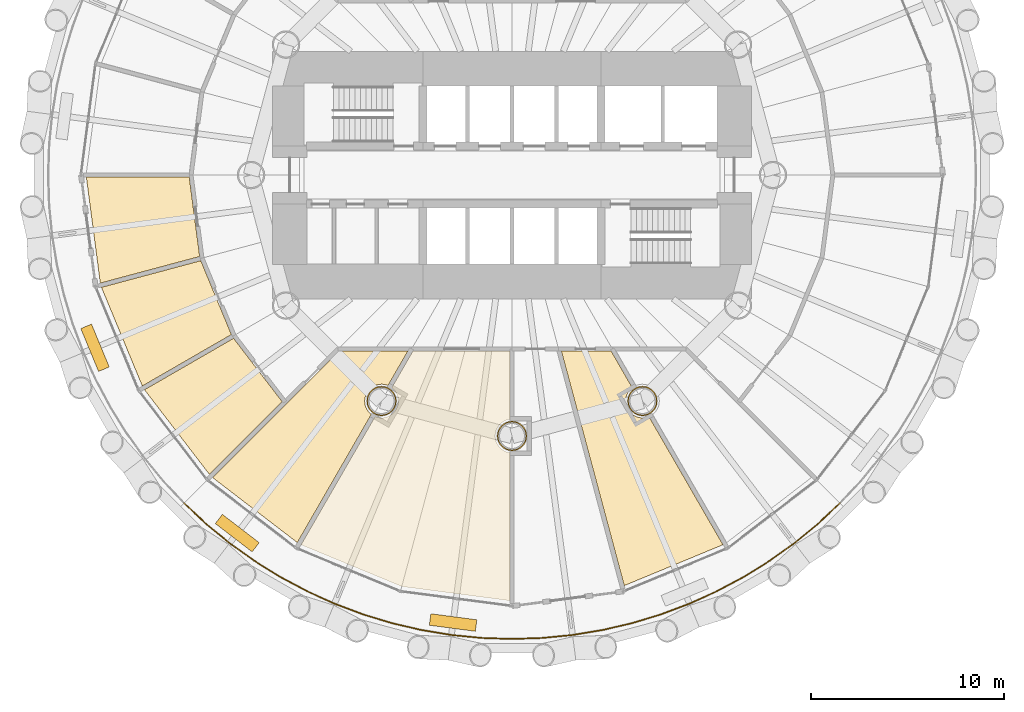
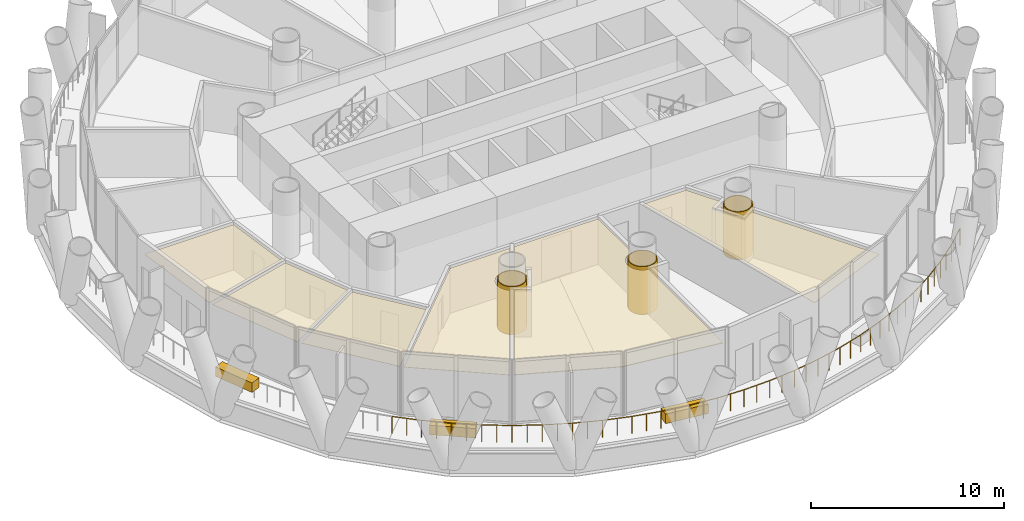
# One storey, part 12 of 15: 12 coverings, 1 railing.
"""IFC4 building model written with IfcOpenShell, lengths in metres."""

from ifc_helpers import new_model, si_unit, direction, frame, origin, origin_2d, place, context, subcontext, project, spatial, polyline, rectangle, circle, outline, extrude, material, layer, layer_set, type_object, element, save


model = new_model("IFC4")

# Units and contexts
model_context = context("Model", 3, precision=1e-05, world=origin(), true_north=direction((0.0, 1.0)))
body_context = subcontext(model_context, "Body", "Model", "MODEL_VIEW")
ifc_project = project(units=[si_unit("LENGTHUNIT", "METRE"), si_unit("AREAUNIT", "SQUARE_METRE"), si_unit("VOLUMEUNIT", "CUBIC_METRE"), si_unit("PLANEANGLEUNIT", "RADIAN"), si_unit("MASSUNIT", "GRAM", prefix="KILO")], contexts=[model_context])

# Site, building, storey
site_placement = place(None, origin())
site = spatial("IfcSite", under=ifc_project, at=site_placement, CompositionType="ELEMENT")
building_placement = place(site_placement, origin())
building = spatial("IfcBuilding", under=site, at=building_placement, Name="Qaws Media Tower", CompositionType="ELEMENT")
storey_placement = place(building_placement, frame((0.0, 0.0, 51.199951171875)))
storey = spatial("IfcBuildingStorey", under=building, at=storey_placement, Name="L10", CompositionType="ELEMENT", Elevation=51.199951171875)

# Covering
ifc_material_1 = material(Name="40 perforated acoustic panels with mineral wool backing, suspended", Category="mineral fibre")
ifc_layer_1 = layer(ifc_material_1, 0.0400390625)
ifc_layer_set_1 = layer_set([ifc_layer_1], Name="Acoustic panel ceiling 40")
covering_type_1 = type_object("IfcCoveringType", Name="Acoustic panel ceiling 40", PredefinedType="CEILING", material=ifc_layer_set_1)
covering_1_placement = place(storey_placement, frame((0.0, 0.0, 2.85009765625)))
element("IfcCovering", 1, at=covering_1_placement, inside=storey, type_object=covering_type_1, Name="CL3 ceiling L10-11 Audio dubbing theatre", PredefinedType="CEILING", context=body_context, shape_type="SweptSolid", body=[
    extrude(outline(polyline([(54.296875, 28.715576171875), (49.087158203125, 30.87353515625), (52.91552734375, 37.50439453125), (53.024658203125, 37.46728515625), (53.13623046875, 37.445068359375), (53.25, 37.437744140625), (53.36376953125, 37.445068359375), (53.475341796875, 37.46728515625), (53.583251953125, 37.50390625), (53.685546875, 37.55419921875), (53.7802734375, 37.61767578125), (53.865966796875, 37.69287109375), (53.94091796875, 37.7783203125), (54.00439453125, 37.873291015625), (54.0546875, 37.975341796875), (54.09130859375, 38.083251953125), (54.113525390625, 38.195068359375), (54.12109375, 38.30859375), (54.113525390625, 38.42236328125), (54.09130859375, 38.5341796875), (54.0546875, 38.64208984375), (54.00439453125, 38.744140625), (53.94091796875, 38.8388671875), (53.865966796875, 38.924560546875), (53.779296875, 39.000244140625), (54.868896484375, 40.887451171875), (59.887451171875, 40.887451171875), (59.887451171875, 37.363525390625), (59.774658203125, 37.34130859375), (59.666748046875, 37.3046875), (59.564453125, 37.25439453125), (59.4697265625, 37.19091796875), (59.384033203125, 37.115966796875), (59.30908203125, 37.0302734375), (59.24560546875, 36.935546875), (59.1953125, 36.833251953125), (59.15869140625, 36.725341796875), (59.136474609375, 36.61376953125), (59.12890625, 36.5), (59.136474609375, 36.38623046875), (59.15869140625, 36.274658203125), (59.1953125, 36.166748046875), (59.24560546875, 36.064453125), (59.30908203125, 35.9697265625), (59.384033203125, 35.884033203125), (59.4697265625, 35.80908203125), (59.564453125, 35.74560546875), (59.666748046875, 35.6953125), (59.774658203125, 35.65869140625), (59.887451171875, 35.636474609375), (59.887451171875, 27.9794921875), (54.296875, 28.715576171875)])), origin(), (0.0, 0.0, 1.0), 0.0400390625),
])

# Railing
ifc_material_2 = material(Name="Stainless steel and glass guard", Category="steel")
railing_type = type_object("IfcRailingType", Name="Balcony guard 1100", PredefinedType="GUARDRAIL", material=ifc_material_2)
railing_placement = place(storey_placement, frame((43.029541015625, 33.029541015625, 0.0)))
element("IfcRailing", 2, at=railing_placement, inside=storey, type_object=railing_type, Name="GR1 balcony guard L10-3", PredefinedType="GUARDRAIL", context=body_context, shape_type="SweptSolid", body=[
    extrude(circle(Radius=0.02392578125, at=origin_2d()), frame((0.0, 0.0, 1.076171875), z_axis=(0.729813455053, -0.683646341922, 0.0), x_axis=(0.683646341922, 0.729813455053, 0.0)), (0.0, 0.0, 1.0), 1.570556640625),
    extrude(circle(Radius=0.02392578125, at=origin_2d()), frame((1.146240234375, -1.07373046875, 1.076171875), z_axis=(0.77296584809, -0.63444763195, 0.0), x_axis=(0.63444763195, 0.77296584809, 0.0)), (0.0, 0.0, 1.0), 1.5703125),
    extrude(circle(Radius=0.02392578125, at=origin_2d()), frame((2.360107421875, -2.070068359375, 1.076171875), z_axis=(0.812850247555, -0.582472724726, 0.0), x_axis=(0.582472724726, 0.812850247555, 0.0)), (0.0, 0.0, 1.0), 1.570556640625),
    extrude(circle(Radius=0.02392578125, at=origin_2d()), frame((3.63671875, -2.98486328125, 1.076171875), z_axis=(0.849209967984, -0.528055328802, 0.0), x_axis=(0.528055328802, 0.849209967984, 0.0)), (0.0, 0.0, 1.0), 1.570556640625),
    extrude(circle(Radius=0.02392578125, at=origin_2d()), frame((4.970458984375, -3.814208984375, 1.076171875), z_axis=(0.881939468642, -0.471362677406, 0.0), x_axis=(0.471362677406, 0.881939468642, 0.0)), (0.0, 0.0, 1.0), 1.5703125),
    extrude(circle(Radius=0.02392578125, at=origin_2d()), frame((6.35546875, -4.554443359375, 1.076171875), z_axis=(0.910871506135, -0.412690076585, 0.0), x_axis=(0.412690076585, 0.910871506135, 0.0)), (0.0, 0.0, 1.0), 1.570556640625),
    extrude(circle(Radius=0.02392578125, at=origin_2d()), frame((7.7861328125, -5.20263671875, 1.076171875), z_axis=(0.935894013159, -0.35228169997, 0.0), x_axis=(0.35228169997, 0.935894013159, 0.0)), (0.0, 0.0, 1.0), 1.5703125),
    extrude(circle(Radius=0.02392578125, at=origin_2d()), frame((9.255859375, -5.755859375, 1.076171875), z_axis=(0.956957701155, -0.290227424961, 0.0), x_axis=(0.290227424961, 0.956957701155, 0.0)), (0.0, 0.0, 1.0), 1.570556640625),
    extrude(circle(Radius=0.02392578125, at=origin_2d()), frame((10.7587890625, -6.211669921875, 1.076171875), z_axis=(0.973869866976, -0.227106763871, 0.0), x_axis=(0.227106763871, 0.973869866976, 0.0)), (0.0, 0.0, 1.0), 1.570556640625),
    extrude(circle(Radius=0.02392578125, at=origin_2d()), frame((12.288330078125, -6.568359375, 1.076171875), z_axis=(0.98664068219, -0.162911522757, 0.0), x_axis=(0.162911522757, 0.98664068219, 0.0)), (0.0, 0.0, 1.0), 1.570556640625),
    extrude(circle(Radius=0.02392578125, at=origin_2d()), frame((13.837890625, -6.82421875, 1.076171875), z_axis=(0.995177778889, -0.098087656745, 0.0), x_axis=(0.098087656745, 0.995177778889, 0.0)), (0.0, 0.0, 1.0), 1.570556640625),
    extrude(circle(Radius=0.02392578125, at=origin_2d()), frame((15.40087890625, -6.978271484375, 1.076171875), z_axis=(0.999466942107, -0.03264707697, 0.0), x_axis=(0.03264707697, 0.999466942107, 0.0)), (0.0, 0.0, 1.0), 1.5703125),
    extrude(circle(Radius=0.02392578125, at=origin_2d()), frame((16.970458984375, -7.029541015625, 1.076171875), z_axis=(0.999466942107, 0.03264707697, 0.0), x_axis=(-0.03264707697, 0.999466942107, 0.0)), (0.0, 0.0, 1.0), 1.5703125),
    extrude(circle(Radius=0.02392578125, at=origin_2d()), frame((18.5400390625, -6.978271484375, 1.076171875), z_axis=(0.995177778889, 0.098087656745, 0.0), x_axis=(-0.098087656745, 0.995177778889, 0.0)), (0.0, 0.0, 1.0), 1.570556640625),
    extrude(circle(Radius=0.02392578125, at=origin_2d()), frame((20.10302734375, -6.82421875, 1.076171875), z_axis=(0.98664068219, 0.162911522757, 0.0), x_axis=(-0.162911522757, 0.98664068219, 0.0)), (0.0, 0.0, 1.0), 1.570556640625),
    extrude(circle(Radius=0.02392578125, at=origin_2d()), frame((21.652587890625, -6.568359375, 1.076171875), z_axis=(0.973869866976, 0.227106763871, 0.0), x_axis=(-0.227106763871, 0.973869866976, 0.0)), (0.0, 0.0, 1.0), 1.570556640625),
    extrude(circle(Radius=0.02392578125, at=origin_2d()), frame((23.18212890625, -6.211669921875, 1.076171875), z_axis=(0.956957701155, 0.290227424961, 0.0), x_axis=(-0.290227424961, 0.956957701155, 0.0)), (0.0, 0.0, 1.0), 1.570556640625),
    extrude(circle(Radius=0.02392578125, at=origin_2d()), frame((24.68505859375, -5.755859375, 1.076171875), z_axis=(0.935894013159, 0.35228169997, 0.0), x_axis=(-0.35228169997, 0.935894013159, 0.0)), (0.0, 0.0, 1.0), 1.5703125),
    extrude(circle(Radius=0.02392578125, at=origin_2d()), frame((26.15478515625, -5.20263671875, 1.076171875), z_axis=(0.910871506135, 0.412690076585, 0.0), x_axis=(-0.412690076585, 0.910871506135, 0.0)), (0.0, 0.0, 1.0), 1.570556640625),
    extrude(circle(Radius=0.02392578125, at=origin_2d()), frame((27.58544921875, -4.554443359375, 1.076171875), z_axis=(0.881939468642, 0.471362677406, 0.0), x_axis=(-0.471362677406, 0.881939468642, 0.0)), (0.0, 0.0, 1.0), 1.5703125),
    extrude(circle(Radius=0.02392578125, at=origin_2d()), frame((28.970458984375, -3.814208984375, 1.076171875), z_axis=(0.849209967984, 0.528055328802, 0.0), x_axis=(-0.528055328802, 0.849209967984, 0.0)), (0.0, 0.0, 1.0), 1.570556640625),
    extrude(circle(Radius=0.02392578125, at=origin_2d()), frame((30.30419921875, -2.98486328125, 1.076171875), z_axis=(0.812850247555, 0.582472724726, 0.0), x_axis=(-0.582472724726, 0.812850247555, 0.0)), (0.0, 0.0, 1.0), 1.570556640625),
    extrude(circle(Radius=0.02392578125, at=origin_2d()), frame((31.580810546875, -2.070068359375, 1.076171875), z_axis=(0.77296584809, 0.63444763195, 0.0), x_axis=(-0.63444763195, 0.77296584809, 0.0)), (0.0, 0.0, 1.0), 1.5703125),
    extrude(circle(Radius=0.02392578125, at=origin_2d()), frame((32.794677734375, -1.07373046875, 1.076171875), z_axis=(0.729813455053, 0.683646341922, 0.0), x_axis=(-0.683646341922, 0.729813455053, 0.0)), (0.0, 0.0, 1.0), 1.570556640625),
    extrude(circle(Radius=0.02099609375, at=origin_2d()), origin(), (0.0, 0.0, 1.0), 1.052001953125),
    extrude(circle(Radius=0.02099609375, at=origin_2d()), frame((0.5732421875, -0.536865234375, 0.0)), (0.0, 0.0, 1.0), 1.052001953125),
    extrude(circle(Radius=0.02099609375, at=origin_2d()), frame((1.146240234375, -1.07373046875, 0.0)), (0.0, 0.0, 1.0), 1.052001953125),
    extrude(circle(Radius=0.02099609375, at=origin_2d()), frame((1.753173828125, -1.57177734375, 0.0)), (0.0, 0.0, 1.0), 1.052001953125),
    extrude(circle(Radius=0.02099609375, at=origin_2d()), frame((2.360107421875, -2.070068359375, 0.0)), (0.0, 0.0, 1.0), 1.052001953125),
    extrude(circle(Radius=0.02099609375, at=origin_2d()), frame((2.99853515625, -2.52734375, 0.0)), (0.0, 0.0, 1.0), 1.052001953125),
    extrude(circle(Radius=0.02099609375, at=origin_2d()), frame((3.63671875, -2.98486328125, 0.0)), (0.0, 0.0, 1.0), 1.052001953125),
    extrude(circle(Radius=0.02099609375, at=origin_2d()), frame((4.3037109375, -3.3994140625, 0.0)), (0.0, 0.0, 1.0), 1.052001953125),
    extrude(circle(Radius=0.02099609375, at=origin_2d()), frame((4.970458984375, -3.814208984375, 0.0)), (0.0, 0.0, 1.0), 1.052001953125),
    extrude(circle(Radius=0.02099609375, at=origin_2d()), frame((5.6630859375, -4.184326171875, 0.0)), (0.0, 0.0, 1.0), 1.052001953125),
    extrude(circle(Radius=0.02099609375, at=origin_2d()), frame((6.35546875, -4.554443359375, 0.0)), (0.0, 0.0, 1.0), 1.052001953125),
    extrude(circle(Radius=0.02099609375, at=origin_2d()), frame((7.07080078125, -4.87841796875, 0.0)), (0.0, 0.0, 1.0), 1.052001953125),
    extrude(circle(Radius=0.02099609375, at=origin_2d()), frame((7.7861328125, -5.20263671875, 0.0)), (0.0, 0.0, 1.0), 1.052001953125),
    extrude(circle(Radius=0.02099609375, at=origin_2d()), frame((8.52099609375, -5.479248046875, 0.0)), (0.0, 0.0, 1.0), 1.052001953125),
    extrude(circle(Radius=0.02099609375, at=origin_2d()), frame((9.255859375, -5.755859375, 0.0)), (0.0, 0.0, 1.0), 1.052001953125),
    extrude(circle(Radius=0.02099609375, at=origin_2d()), frame((10.00732421875, -5.98388671875, 0.0)), (0.0, 0.0, 1.0), 1.052001953125),
    extrude(circle(Radius=0.02099609375, at=origin_2d()), frame((10.7587890625, -6.211669921875, 0.0)), (0.0, 0.0, 1.0), 1.052001953125),
    extrude(circle(Radius=0.02099609375, at=origin_2d()), frame((11.5234375, -6.39013671875, 0.0)), (0.0, 0.0, 1.0), 1.052001953125),
    extrude(circle(Radius=0.02099609375, at=origin_2d()), frame((12.288330078125, -6.568359375, 0.0)), (0.0, 0.0, 1.0), 1.052001953125),
    extrude(circle(Radius=0.02099609375, at=origin_2d()), frame((13.06298828125, -6.6962890625, 0.0)), (0.0, 0.0, 1.0), 1.052001953125),
    extrude(circle(Radius=0.02099609375, at=origin_2d()), frame((13.837890625, -6.82421875, 0.0)), (0.0, 0.0, 1.0), 1.052001953125),
    extrude(circle(Radius=0.02099609375, at=origin_2d()), frame((14.619384765625, -6.9013671875, 0.0)), (0.0, 0.0, 1.0), 1.052001953125),
    extrude(circle(Radius=0.02099609375, at=origin_2d()), frame((15.40087890625, -6.978271484375, 0.0)), (0.0, 0.0, 1.0), 1.052001953125),
    extrude(circle(Radius=0.02099609375, at=origin_2d()), frame((16.185546875, -7.00390625, 0.0)), (0.0, 0.0, 1.0), 1.052001953125),
    extrude(circle(Radius=0.02099609375, at=origin_2d()), frame((16.970458984375, -7.029541015625, 0.0)), (0.0, 0.0, 1.0), 1.052001953125),
    extrude(circle(Radius=0.02099609375, at=origin_2d()), frame((17.75537109375, -7.00390625, 0.0)), (0.0, 0.0, 1.0), 1.052001953125),
    extrude(circle(Radius=0.02099609375, at=origin_2d()), frame((18.5400390625, -6.978271484375, 0.0)), (0.0, 0.0, 1.0), 1.052001953125),
    extrude(circle(Radius=0.02099609375, at=origin_2d()), frame((19.321533203125, -6.9013671875, 0.0)), (0.0, 0.0, 1.0), 1.052001953125),
    extrude(circle(Radius=0.02099609375, at=origin_2d()), frame((20.10302734375, -6.82421875, 0.0)), (0.0, 0.0, 1.0), 1.052001953125),
    extrude(circle(Radius=0.02099609375, at=origin_2d()), frame((20.8779296875, -6.6962890625, 0.0)), (0.0, 0.0, 1.0), 1.052001953125),
    extrude(circle(Radius=0.02099609375, at=origin_2d()), frame((21.652587890625, -6.568359375, 0.0)), (0.0, 0.0, 1.0), 1.052001953125),
    extrude(circle(Radius=0.02099609375, at=origin_2d()), frame((22.41748046875, -6.39013671875, 0.0)), (0.0, 0.0, 1.0), 1.052001953125),
    extrude(circle(Radius=0.02099609375, at=origin_2d()), frame((23.18212890625, -6.211669921875, 0.0)), (0.0, 0.0, 1.0), 1.052001953125),
    extrude(circle(Radius=0.02099609375, at=origin_2d()), frame((23.93359375, -5.98388671875, 0.0)), (0.0, 0.0, 1.0), 1.052001953125),
    extrude(circle(Radius=0.02099609375, at=origin_2d()), frame((24.68505859375, -5.755859375, 0.0)), (0.0, 0.0, 1.0), 1.052001953125),
    extrude(circle(Radius=0.02099609375, at=origin_2d()), frame((25.419921875, -5.479248046875, 0.0)), (0.0, 0.0, 1.0), 1.052001953125),
    extrude(circle(Radius=0.02099609375, at=origin_2d()), frame((26.15478515625, -5.20263671875, 0.0)), (0.0, 0.0, 1.0), 1.052001953125),
    extrude(circle(Radius=0.02099609375, at=origin_2d()), frame((26.8701171875, -4.87841796875, 0.0)), (0.0, 0.0, 1.0), 1.052001953125),
    extrude(circle(Radius=0.02099609375, at=origin_2d()), frame((27.58544921875, -4.554443359375, 0.0)), (0.0, 0.0, 1.0), 1.052001953125),
    extrude(circle(Radius=0.02099609375, at=origin_2d()), frame((28.27783203125, -4.184326171875, 0.0)), (0.0, 0.0, 1.0), 1.052001953125),
    extrude(circle(Radius=0.02099609375, at=origin_2d()), frame((28.970458984375, -3.814208984375, 0.0)), (0.0, 0.0, 1.0), 1.052001953125),
    extrude(circle(Radius=0.02099609375, at=origin_2d()), frame((29.63720703125, -3.3994140625, 0.0)), (0.0, 0.0, 1.0), 1.052001953125),
    extrude(circle(Radius=0.02099609375, at=origin_2d()), frame((30.30419921875, -2.98486328125, 0.0)), (0.0, 0.0, 1.0), 1.052001953125),
    extrude(circle(Radius=0.02099609375, at=origin_2d()), frame((30.9423828125, -2.52734375, 0.0)), (0.0, 0.0, 1.0), 1.052001953125),
    extrude(circle(Radius=0.02099609375, at=origin_2d()), frame((31.580810546875, -2.070068359375, 0.0)), (0.0, 0.0, 1.0), 1.052001953125),
    extrude(circle(Radius=0.02099609375, at=origin_2d()), frame((32.187744140625, -1.57177734375, 0.0)), (0.0, 0.0, 1.0), 1.052001953125),
    extrude(circle(Radius=0.02099609375, at=origin_2d()), frame((32.794677734375, -1.07373046875, 0.0)), (0.0, 0.0, 1.0), 1.052001953125),
    extrude(circle(Radius=0.02099609375, at=origin_2d()), frame((33.36767578125, -0.536865234375, 0.0)), (0.0, 0.0, 1.0), 1.052001953125),
    extrude(circle(Radius=0.02099609375, at=origin_2d()), frame((33.94091796875, 0.0, 0.0)), (0.0, 0.0, 1.0), 1.052001953125),
])

# Coverings
ifc_material_3 = material(Name="Two layers 15 fire-rated gypsum board on steel framing", Category="steel")
ifc_layer_2 = layer(ifc_material_3, 0.050048828125)
ifc_layer_set_2 = layer_set([ifc_layer_2], Name="Column fire casing")
covering_type_2 = type_object("IfcCoveringType", Name="Column fire casing", PredefinedType="CLADDING", material=ifc_layer_set_2)
covering_2_placement = place(storey_placement, origin())
element("IfcCovering", 3, at=covering_2_placement, inside=storey, type_object=covering_type_2, Name="CC1 column casing L10", PredefinedType="CLADDING", context=body_context, shape_type="SweptSolid", body=[
    extrude(outline(polyline([(54.01611328125, 38.30859375), (54.009521484375, 38.208740234375), (53.989990234375, 38.1103515625), (53.957763671875, 38.015380859375), (53.913330078125, 37.92578125), (53.857666015625, 37.84228515625), (53.79150390625, 37.76708984375), (53.71630859375, 37.700927734375), (53.633056640625, 37.645263671875), (53.543212890625, 37.60107421875), (53.4482421875, 37.56884765625), (53.35009765625, 37.54931640625), (53.25, 37.542724609375), (53.14990234375, 37.54931640625), (53.0517578125, 37.56884765625), (52.956787109375, 37.60107421875), (52.866943359375, 37.645263671875), (52.78369140625, 37.700927734375), (52.70849609375, 37.76708984375), (52.642333984375, 37.84228515625), (52.586669921875, 37.92578125), (52.542236328125, 38.015380859375), (52.510009765625, 38.1103515625), (52.490478515625, 38.208740234375), (52.48388671875, 38.30859375), (52.490478515625, 38.40869140625), (52.510009765625, 38.5068359375), (52.542236328125, 38.601806640625), (52.586669921875, 38.691650390625), (52.642333984375, 38.77490234375), (52.70849609375, 38.850341796875), (52.78369140625, 38.91650390625), (52.866943359375, 38.971923828125), (52.956787109375, 39.016357421875), (53.0517578125, 39.048583984375), (53.14990234375, 39.068115234375), (53.25, 39.07470703125), (53.35009765625, 39.068115234375), (53.4482421875, 39.048583984375), (53.543212890625, 39.016357421875), (53.633056640625, 38.971923828125), (53.71630859375, 38.91650390625), (53.79150390625, 38.850341796875), (53.857666015625, 38.77490234375), (53.913330078125, 38.691650390625), (53.957763671875, 38.601806640625), (53.989990234375, 38.5068359375), (54.009521484375, 38.40869140625), (54.01611328125, 38.30859375)]), holes=[polyline([(53.964111328125, 38.30859375), (53.9580078125, 38.215576171875), (53.939697265625, 38.123779296875), (53.90966796875, 38.035400390625), (53.868408203125, 37.95166015625), (53.81640625, 37.8740234375), (53.7548828125, 37.8037109375), (53.684814453125, 37.7421875), (53.60693359375, 37.690185546875), (53.523193359375, 37.64892578125), (53.434814453125, 37.618896484375), (53.34326171875, 37.600830078125), (53.25, 37.5947265625), (53.15673828125, 37.600830078125), (53.065185546875, 37.618896484375), (52.976806640625, 37.64892578125), (52.89306640625, 37.690185546875), (52.815185546875, 37.7421875), (52.7451171875, 37.8037109375), (52.68359375, 37.8740234375), (52.631591796875, 37.95166015625), (52.59033203125, 38.035400390625), (52.560302734375, 38.123779296875), (52.5419921875, 38.215576171875), (52.535888671875, 38.30859375), (52.5419921875, 38.40185546875), (52.560302734375, 38.493408203125), (52.59033203125, 38.581787109375), (52.631591796875, 38.665771484375), (52.68359375, 38.743408203125), (52.7451171875, 38.8134765625), (52.815185546875, 38.875), (52.89306640625, 38.927001953125), (52.976806640625, 38.96826171875), (53.065185546875, 38.998291015625), (53.15673828125, 39.0166015625), (53.25, 39.022705078125), (53.34326171875, 39.0166015625), (53.434814453125, 38.998291015625), (53.523193359375, 38.96826171875), (53.60693359375, 38.927001953125), (53.684814453125, 38.875), (53.7548828125, 38.8134765625), (53.81640625, 38.743408203125), (53.868408203125, 38.665771484375), (53.90966796875, 38.581787109375), (53.939697265625, 38.493408203125), (53.9580078125, 38.40185546875), (53.964111328125, 38.30859375)])]), origin(), (0.0, 0.0, 1.0), 3.02001953125),
])
covering_3_placement = place(storey_placement, origin())
element("IfcCovering", 4, at=covering_3_placement, inside=storey, type_object=covering_type_2, Name="CC1 column casing L10", PredefinedType="CLADDING", context=body_context, shape_type="SweptSolid", body=[
    extrude(outline(polyline([(60.76611328125, 36.5), (60.759521484375, 36.39990234375), (60.739990234375, 36.3017578125), (60.707763671875, 36.206787109375), (60.663330078125, 36.116943359375), (60.607666015625, 36.03369140625), (60.54150390625, 35.95849609375), (60.46630859375, 35.892333984375), (60.383056640625, 35.836669921875), (60.293212890625, 35.792236328125), (60.1982421875, 35.760009765625), (60.10009765625, 35.740478515625), (60.0, 35.73388671875), (59.89990234375, 35.740478515625), (59.8017578125, 35.760009765625), (59.706787109375, 35.792236328125), (59.616943359375, 35.836669921875), (59.53369140625, 35.892333984375), (59.45849609375, 35.95849609375), (59.392333984375, 36.03369140625), (59.336669921875, 36.116943359375), (59.292236328125, 36.206787109375), (59.260009765625, 36.3017578125), (59.240478515625, 36.39990234375), (59.23388671875, 36.5), (59.240478515625, 36.60009765625), (59.260009765625, 36.6982421875), (59.292236328125, 36.793212890625), (59.336669921875, 36.883056640625), (59.392333984375, 36.96630859375), (59.45849609375, 37.04150390625), (59.53369140625, 37.107666015625), (59.616943359375, 37.163330078125), (59.706787109375, 37.207763671875), (59.8017578125, 37.239990234375), (59.89990234375, 37.259521484375), (60.0, 37.26611328125), (60.10009765625, 37.259521484375), (60.1982421875, 37.239990234375), (60.293212890625, 37.207763671875), (60.383056640625, 37.163330078125), (60.46630859375, 37.107666015625), (60.54150390625, 37.04150390625), (60.607666015625, 36.96630859375), (60.663330078125, 36.883056640625), (60.707763671875, 36.793212890625), (60.739990234375, 36.6982421875), (60.759521484375, 36.60009765625), (60.76611328125, 36.5)]), holes=[polyline([(60.714111328125, 36.5), (60.7080078125, 36.40673828125), (60.689697265625, 36.315185546875), (60.65966796875, 36.226806640625), (60.618408203125, 36.14306640625), (60.56640625, 36.065185546875), (60.5048828125, 35.9951171875), (60.434814453125, 35.93359375), (60.35693359375, 35.881591796875), (60.273193359375, 35.84033203125), (60.184814453125, 35.810302734375), (60.09326171875, 35.7919921875), (60.0, 35.785888671875), (59.90673828125, 35.7919921875), (59.815185546875, 35.810302734375), (59.726806640625, 35.84033203125), (59.64306640625, 35.881591796875), (59.565185546875, 35.93359375), (59.4951171875, 35.9951171875), (59.43359375, 36.065185546875), (59.381591796875, 36.14306640625), (59.34033203125, 36.226806640625), (59.310302734375, 36.315185546875), (59.2919921875, 36.40673828125), (59.285888671875, 36.5), (59.2919921875, 36.59326171875), (59.310302734375, 36.684814453125), (59.34033203125, 36.773193359375), (59.381591796875, 36.85693359375), (59.43359375, 36.934814453125), (59.4951171875, 37.0048828125), (59.565185546875, 37.06640625), (59.64306640625, 37.118408203125), (59.726806640625, 37.15966796875), (59.815185546875, 37.189697265625), (59.90673828125, 37.2080078125), (60.0, 37.214111328125), (60.09326171875, 37.2080078125), (60.184814453125, 37.189697265625), (60.273193359375, 37.15966796875), (60.35693359375, 37.118408203125), (60.434814453125, 37.06640625), (60.5048828125, 37.0048828125), (60.56640625, 36.934814453125), (60.618408203125, 36.85693359375), (60.65966796875, 36.773193359375), (60.689697265625, 36.684814453125), (60.7080078125, 36.59326171875), (60.714111328125, 36.5)])]), origin(), (0.0, 0.0, 1.0), 3.02001953125),
])
covering_4_placement = place(storey_placement, origin())
element("IfcCovering", 5, at=covering_4_placement, inside=storey, type_object=covering_type_2, Name="CC1 column casing L10", PredefinedType="CLADDING", context=body_context, shape_type="SweptSolid", body=[
    extrude(outline(polyline([(67.51611328125, 38.30859375), (67.509521484375, 38.208740234375), (67.489990234375, 38.1103515625), (67.457763671875, 38.015380859375), (67.413330078125, 37.92578125), (67.357666015625, 37.84228515625), (67.29150390625, 37.76708984375), (67.21630859375, 37.700927734375), (67.133056640625, 37.645263671875), (67.043212890625, 37.60107421875), (66.9482421875, 37.56884765625), (66.85009765625, 37.54931640625), (66.75, 37.542724609375), (66.64990234375, 37.54931640625), (66.5517578125, 37.56884765625), (66.456787109375, 37.60107421875), (66.366943359375, 37.645263671875), (66.28369140625, 37.700927734375), (66.20849609375, 37.76708984375), (66.142333984375, 37.84228515625), (66.086669921875, 37.92578125), (66.042236328125, 38.015380859375), (66.010009765625, 38.1103515625), (65.990478515625, 38.208740234375), (65.98388671875, 38.30859375), (65.990478515625, 38.40869140625), (66.010009765625, 38.5068359375), (66.042236328125, 38.601806640625), (66.086669921875, 38.691650390625), (66.142333984375, 38.77490234375), (66.20849609375, 38.850341796875), (66.28369140625, 38.91650390625), (66.366943359375, 38.971923828125), (66.456787109375, 39.016357421875), (66.5517578125, 39.048583984375), (66.64990234375, 39.068115234375), (66.75, 39.07470703125), (66.85009765625, 39.068115234375), (66.9482421875, 39.048583984375), (67.043212890625, 39.016357421875), (67.133056640625, 38.971923828125), (67.21630859375, 38.91650390625), (67.29150390625, 38.850341796875), (67.357666015625, 38.77490234375), (67.413330078125, 38.691650390625), (67.457763671875, 38.601806640625), (67.489990234375, 38.5068359375), (67.509521484375, 38.40869140625), (67.51611328125, 38.30859375)]), holes=[polyline([(67.464111328125, 38.30859375), (67.4580078125, 38.215576171875), (67.439697265625, 38.123779296875), (67.40966796875, 38.035400390625), (67.368408203125, 37.95166015625), (67.31640625, 37.8740234375), (67.2548828125, 37.8037109375), (67.184814453125, 37.7421875), (67.10693359375, 37.690185546875), (67.023193359375, 37.64892578125), (66.934814453125, 37.618896484375), (66.84326171875, 37.600830078125), (66.75, 37.5947265625), (66.65673828125, 37.600830078125), (66.565185546875, 37.618896484375), (66.476806640625, 37.64892578125), (66.39306640625, 37.690185546875), (66.315185546875, 37.7421875), (66.2451171875, 37.8037109375), (66.18359375, 37.8740234375), (66.131591796875, 37.95166015625), (66.09033203125, 38.035400390625), (66.060302734375, 38.123779296875), (66.0419921875, 38.215576171875), (66.035888671875, 38.30859375), (66.0419921875, 38.40185546875), (66.060302734375, 38.493408203125), (66.09033203125, 38.581787109375), (66.131591796875, 38.665771484375), (66.18359375, 38.743408203125), (66.2451171875, 38.8134765625), (66.315185546875, 38.875), (66.39306640625, 38.927001953125), (66.476806640625, 38.96826171875), (66.565185546875, 38.998291015625), (66.65673828125, 39.0166015625), (66.75, 39.022705078125), (66.84326171875, 39.0166015625), (66.934814453125, 38.998291015625), (67.023193359375, 38.96826171875), (67.10693359375, 38.927001953125), (67.184814453125, 38.875), (67.2548828125, 38.8134765625), (67.31640625, 38.743408203125), (67.368408203125, 38.665771484375), (67.40966796875, 38.581787109375), (67.439697265625, 38.493408203125), (67.4580078125, 38.40185546875), (67.464111328125, 38.30859375)])]), origin(), (0.0, 0.0, 1.0), 3.02001953125),
])
ifc_material_4 = material(Name="600 x 600 mineral fibre tiles in exposed grid, suspended", Category="mineral fibre")
ifc_layer_3 = layer(ifc_material_4, 0.02001953125)
ifc_layer_set_3 = layer_set([ifc_layer_3], Name="Mineral fibre tile ceiling 20")
covering_type_3 = type_object("IfcCoveringType", Name="Mineral fibre tile ceiling 20", PredefinedType="CEILING", material=ifc_layer_set_3)
covering_5_placement = place(storey_placement, frame((0.0, 0.0, 2.85009765625)))
element("IfcCovering", 6, at=covering_5_placement, inside=storey, type_object=covering_type_3, Name="CL1 ceiling L10-07 Edit room", PredefinedType="CEILING", context=body_context, shape_type="SweptSolid", body=[
    extrude(outline(polyline([(37.9794921875, 49.887451171875), (43.30126953125, 49.887451171875), (43.84130859375, 45.78662109375), (38.70068359375, 44.409423828125), (37.9794921875, 49.887451171875)])), origin(), (0.0, 0.0, 1.0), 0.02001953125),
])
covering_6_placement = place(storey_placement, frame((0.0, 0.0, 2.85009765625)))
element("IfcCovering", 7, at=covering_6_placement, inside=storey, type_object=covering_type_3, Name="CL1 ceiling L10-08 Edit room", PredefinedType="CEILING", context=body_context, shape_type="SweptSolid", body=[
    extrude(outline(polyline([(38.759033203125, 44.19189453125), (43.8994140625, 45.5693359375), (45.482421875, 41.748046875), (40.87353515625, 39.087158203125), (38.759033203125, 44.19189453125)])), origin(), (0.0, 0.0, 1.0), 0.02001953125),
])
covering_7_placement = place(storey_placement, frame((0.0, 0.0, 2.85009765625)))
element("IfcCovering", 8, at=covering_7_placement, inside=storey, type_object=covering_type_3, Name="CL1 ceiling L10-09 Edit room", PredefinedType="CEILING", context=body_context, shape_type="SweptSolid", body=[
    extrude(outline(polyline([(40.986083984375, 38.892333984375), (45.5947265625, 41.55322265625), (48.11279296875, 38.271728515625), (44.349609375, 34.5087890625), (40.986083984375, 38.892333984375)])), origin(), (0.0, 0.0, 1.0), 0.02001953125),
])
covering_8_placement = place(storey_placement, frame((0.0, 0.0, 2.85009765625)))
element("IfcCovering", 9, at=covering_8_placement, inside=storey, type_object=covering_type_3, Name="CL1 ceiling L10-10 Edit room", PredefinedType="CEILING", context=body_context, shape_type="SweptSolid", body=[
    extrude(outline(polyline([(44.5087890625, 34.349609375), (51.046630859375, 40.887451171875), (54.60888671875, 40.887451171875), (53.58447265625, 39.11279296875), (53.475341796875, 39.14990234375), (53.36376953125, 39.172119140625), (53.25, 39.1796875), (53.13623046875, 39.172119140625), (53.024658203125, 39.14990234375), (52.916748046875, 39.11328125), (52.814453125, 39.06298828125), (52.7197265625, 38.999755859375), (52.634033203125, 38.924560546875), (52.55908203125, 38.8388671875), (52.49560546875, 38.744140625), (52.4453125, 38.64208984375), (52.40869140625, 38.5341796875), (52.386474609375, 38.42236328125), (52.37890625, 38.30859375), (52.386474609375, 38.195068359375), (52.40869140625, 38.083251953125), (52.4453125, 37.975341796875), (52.49560546875, 37.873291015625), (52.55908203125, 37.7783203125), (52.634033203125, 37.69287109375), (52.720703125, 37.616943359375), (48.892333984375, 30.986083984375), (44.5087890625, 34.349609375)])), origin(), (0.0, 0.0, 1.0), 0.02001953125),
])
covering_9_placement = place(storey_placement, frame((0.0, 0.0, 2.85009765625)))
element("IfcCovering", 10, at=covering_9_placement, inside=storey, type_object=covering_type_3, Name="CL1 ceiling L10-13 Gents toilets", PredefinedType="CEILING", context=body_context, shape_type="SweptSolid", body=[
    extrude(outline(polyline([(65.80810546875, 28.759033203125), (62.55810546875, 40.887451171875), (65.131103515625, 40.887451171875), (66.220703125, 39.000244140625), (66.134033203125, 38.924560546875), (66.05908203125, 38.8388671875), (65.99560546875, 38.744140625), (65.9453125, 38.64208984375), (65.90869140625, 38.5341796875), (65.886474609375, 38.42236328125), (65.87890625, 38.30859375), (65.886474609375, 38.195068359375), (65.90869140625, 38.083251953125), (65.9453125, 37.975341796875), (65.99560546875, 37.873291015625), (66.05908203125, 37.7783203125), (66.134033203125, 37.69287109375), (66.2197265625, 37.61767578125), (66.314453125, 37.55419921875), (66.416748046875, 37.50390625), (66.524658203125, 37.46728515625), (66.63623046875, 37.445068359375), (66.75, 37.437744140625), (66.86376953125, 37.445068359375), (66.975341796875, 37.46728515625), (67.08447265625, 37.50439453125), (70.912841796875, 30.87353515625), (65.80810546875, 28.759033203125)])), origin(), (0.0, 0.0, 1.0), 0.02001953125),
])
ifc_material_5 = material(Name="Precast concrete planter with trailing planting", Category="concrete")
ifc_layer_4 = layer(ifc_material_5, 0.60009765625)
ifc_layer_set_4 = layer_set([ifc_layer_4], Name="Planter 2400x600")
covering_type_4 = type_object("IfcCoveringType", Name="Planter 2400x600", PredefinedType="USERDEFINED", material=ifc_layer_set_4)
for number, where, z_axis, x_axis, name in (
    (11, (38.427490234375, 41.064453125, 0.0), (0.0, 0.0, 1.0), (0.382683432365, -0.923879532511, 0.0), "PL1 balcony planter L10-07"),
    (12, (45.785400390625, 31.47509765625, 0.0), (0.0, 0.0, 1.0), (0.793353340291, -0.608761429009, 0.0), "PL1 balcony planter L10-08"),
    (13, (56.9521484375, 26.849853515625, 0.0), (0.0, 0.0, 1.0), (0.991444861374, -0.13052619222, 0.0), "PL1 balcony planter L10-09"),
):
    element("IfcCovering", number, at=place(storey_placement, frame(where, z_axis=z_axis, x_axis=x_axis)), inside=storey, type_object=covering_type_4, Name=name, ObjectType="PLANTER", PredefinedType="USERDEFINED", context=body_context, shape_type="SweptSolid", body=[
        extrude(rectangle(XDim=2.39990234375, YDim=0.60009765625, at=origin_2d()), origin(), (0.0, 0.0, 1.0), 0.60009765625),
    ])

save(model, "model.ifc")
